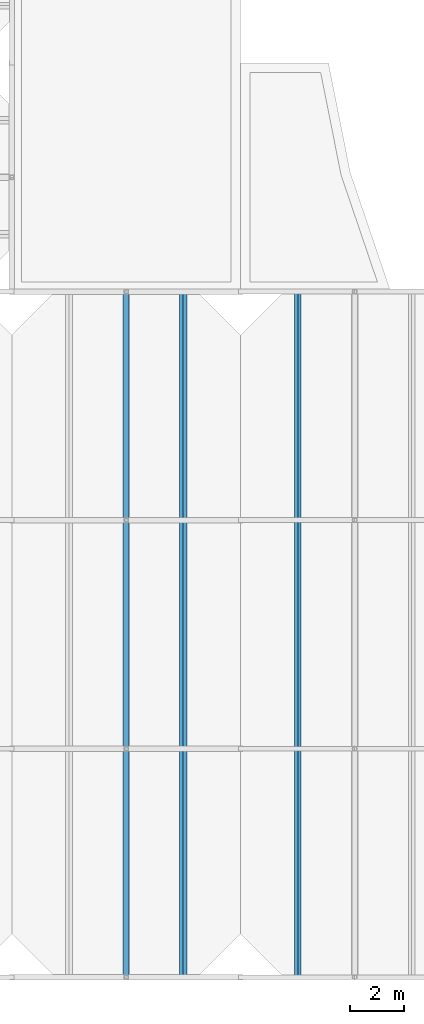
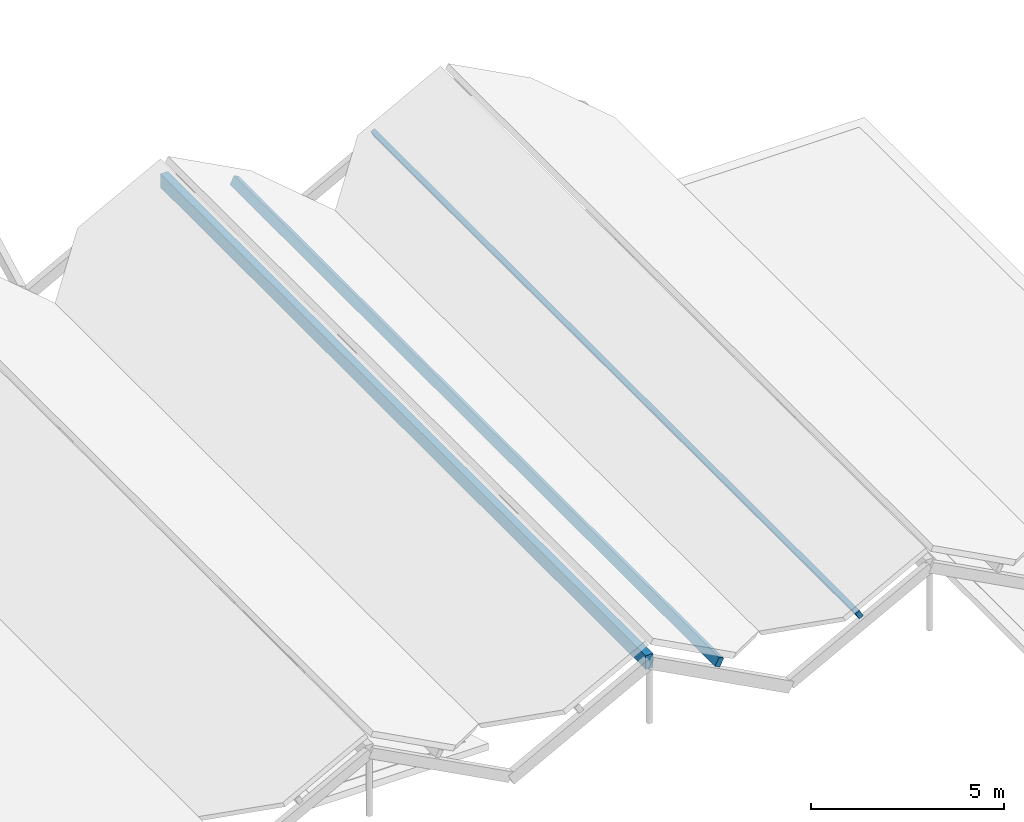
# One storey, part 29 of 82: 2 members, 1 beam.
"""IFC4 building model written with IfcOpenShell, lengths in metres."""

from ifc_helpers import new_model, si_unit, direction, frame, origin, origin_2d, place, context, subcontext, project, spatial, rectangle, extrude, material, material_profile, profile_set, type_object, element, save


model = new_model("IFC4")

# Units and contexts
model_context = context("Model", 3, precision=1e-05, world=origin(), true_north=direction((0.0, 1.0)))
body_context = subcontext(model_context, "Body", "Model", "MODEL_VIEW")
ifc_project = project(units=[si_unit("LENGTHUNIT", "METRE"), si_unit("AREAUNIT", "SQUARE_METRE"), si_unit("VOLUMEUNIT", "CUBIC_METRE"), si_unit("PLANEANGLEUNIT", "RADIAN"), si_unit("MASSUNIT", "GRAM", prefix="KILO")], contexts=[model_context])

# Site, building, storey
site_placement = place(None, origin())
site = spatial("IfcSite", under=ifc_project, at=site_placement, CompositionType="ELEMENT")
building_placement = place(site_placement, origin())
building = spatial("IfcBuilding", under=site, at=building_placement, Name="Bramfleet General Hospital", CompositionType="ELEMENT")
storey_placement = place(building_placement, frame((0.0, 0.0, 34.199951171875)))
storey = spatial("IfcBuildingStorey", under=building, at=storey_placement, Name="Roof", CompositionType="ELEMENT", Elevation=34.199951171875)

# Beam
ifc_material = material(Name="Structural timber GL28h", Category="wood")
ifc_material_profile_1 = material_profile(ifc_material, rectangle(XDim=0.219970703125, YDim=0.43994140625, at=origin_2d()), Name="GL28h 440x220")
ifc_profile_set_1 = profile_set([ifc_material_profile_1], Name="Structural timber GL28h")
beam_type = type_object("IfcBeamType", Name="BM-GL440", PredefinedType="BEAM", material=ifc_profile_set_1)
beam_placement = place(storey_placement, frame((121.800048828125, 0.0, 1.476806640625), z_axis=(0.0, 1.0, 0.0), x_axis=(-1.0, 0.0, 0.0)))
element("IfcBeam", 1, at=beam_placement, inside=storey, type_object=beam_type, Name="Patient House PH-07 Glulam Ridge Beam", PredefinedType="BEAM", context=body_context, shape_type="SweptSolid", body=[
    extrude(rectangle(XDim=0.219970703125, YDim=0.43994140625, at=origin_2d()), origin(), (0.0, 0.0, 1.0), 25.199951171875),
])

# Members
ifc_material_profile_2 = material_profile(ifc_material, rectangle(XDim=0.139892578125, YDim=0.239990234375, at=origin_2d()), Name="GL28h 240x140")
ifc_profile_set_2 = profile_set([ifc_material_profile_2], Name="Structural timber GL28h")
member_type_1 = type_object("IfcMemberType", Name="MEM-PR-GL240", PredefinedType="PURLIN", material=ifc_profile_set_2)
member_1_placement = place(storey_placement, frame((128.10009765625, 0.0, 0.754638671875), z_axis=(0.0, 1.0, 0.0), x_axis=(-0.882947592859, 0.0, -0.469471562786)))
element("IfcMember", 2, at=member_1_placement, inside=storey, type_object=member_type_1, Name="Patient House PH-08 West Glulam Purlin", PredefinedType="PURLIN", context=body_context, shape_type="SweptSolid", body=[
    extrude(rectangle(XDim=0.139892578125, YDim=0.239990234375, at=origin_2d()), origin(), (0.0, 0.0, 1.0), 25.199951171875),
])
ifc_material_profile_3 = material_profile(ifc_material, rectangle(XDim=0.159912109375, YDim=0.280029296875, at=origin_2d()), Name="GL28h 280x160")
ifc_profile_set_3 = profile_set([ifc_material_profile_3], Name="Structural timber GL28h")
member_type_2 = type_object("IfcMemberType", Name="MEM-PR-GL280", PredefinedType="PURLIN", material=ifc_profile_set_3)
member_2_placement = place(storey_placement, frame((123.89990234375, 0.0, 0.71533203125), z_axis=(0.0, 1.0, 0.0), x_axis=(-0.882947592859, 0.0, 0.469471562786)))
element("IfcMember", 3, at=member_2_placement, inside=storey, type_object=member_type_2, Name="Patient House PH-07 East Glulam Purlin", PredefinedType="PURLIN", context=body_context, shape_type="SweptSolid", body=[
    extrude(rectangle(XDim=0.159912109375, YDim=0.280029296875, at=origin_2d()), origin(), (0.0, 0.0, 1.0), 25.199951171875),
])

save(model, "model.ifc")
